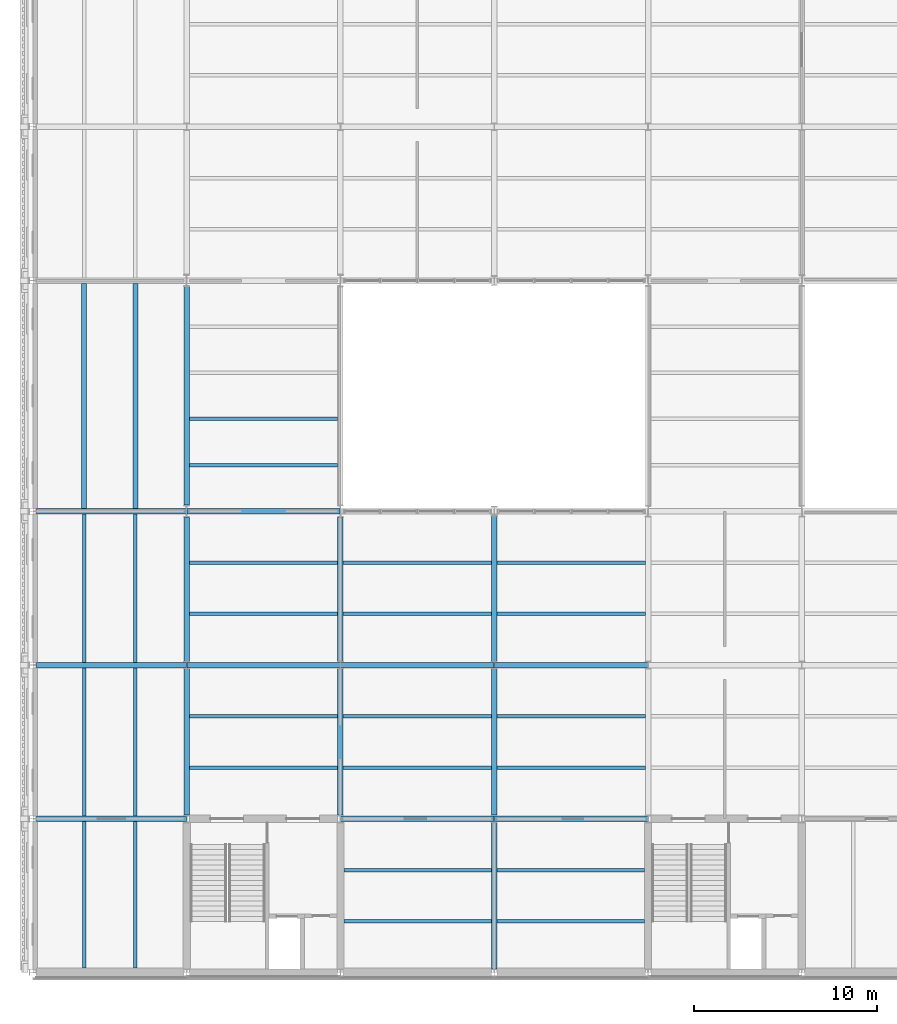
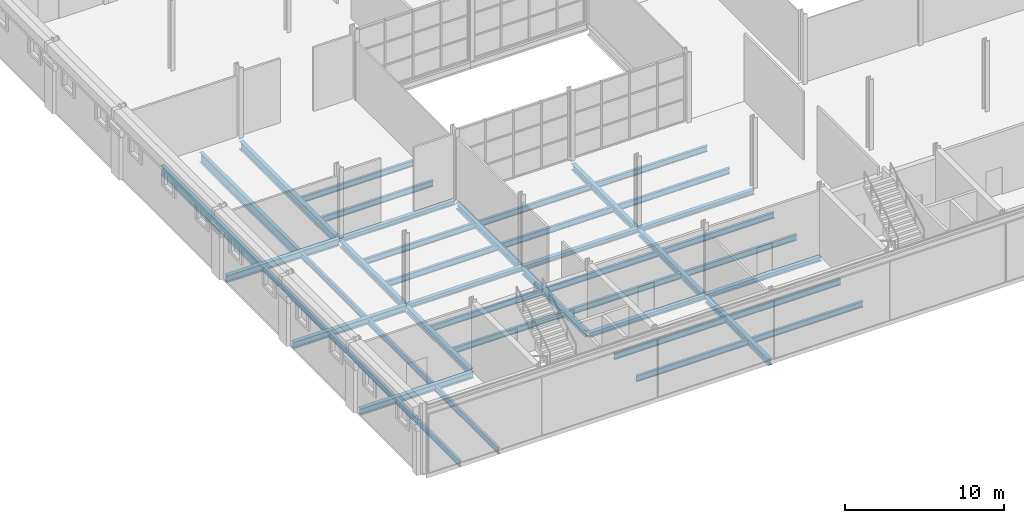
# One storey, part 9 of 57: 43 beams.
"""IFC4 building model written with IfcOpenShell, lengths in metres."""

from ifc_helpers import new_model, si_unit, direction, frame, origin, origin_2d, place, context, subcontext, project, spatial, i_section, extrude, material, material_profile, profile_set, type_object, element, save


model = new_model("IFC4")

# Units and contexts
model_context = context("Model", 3, precision=1e-05, world=origin(), true_north=direction((0.0, 1.0)))
body_context = subcontext(model_context, "Body", "Model", "MODEL_VIEW")
ifc_project = project(units=[si_unit("LENGTHUNIT", "METRE"), si_unit("AREAUNIT", "SQUARE_METRE"), si_unit("VOLUMEUNIT", "CUBIC_METRE"), si_unit("PLANEANGLEUNIT", "RADIAN"), si_unit("MASSUNIT", "GRAM", prefix="KILO")], contexts=[model_context])

# Site, building, storey
site_placement = place(None, origin())
site = spatial("IfcSite", under=ifc_project, at=site_placement, CompositionType="ELEMENT")
building_placement = place(site_placement, origin())
building = spatial("IfcBuilding", under=site, at=building_placement, Name="Galleria Vessillo Department Store", CompositionType="ELEMENT")
storey_placement = place(building_placement, frame((0.0, 0.0, 25.800048828125)))
storey = spatial("IfcBuildingStorey", under=building, at=storey_placement, Name="L05", CompositionType="ELEMENT", Elevation=25.800048828125)

# Beams
ifc_material_1 = material(Name="Steel S355 J2", Category="steel")
ifc_material_profile_1 = material_profile(ifc_material_1, i_section(OverallWidth=0.300048828125, OverallDepth=0.489990234375, WebThickness=0.011962890625, FlangeThickness=0.02294921875, FilletRadius=0.027099609375, at=origin_2d()), Name="HEA 500")
ifc_profile_set_1 = profile_set([ifc_material_profile_1], Name="Steel S355 J2")
beam_type_1 = type_object("IfcBeamType", Name="Floor girder HEA 500", PredefinedType="BEAM", material=ifc_profile_set_1)
for number, where, z_axis, x_axis, name in (
    (1, (0.2001953125, 8.39990234375, -0.39501953125), (1.0, 0.0, 0.0), (0.0, 1.0, 0.0), "S-BM-L05-GI-x8400-200"),
    (2, (0.2001953125, 16.800048828125, -0.39501953125), (1.0, 0.0, 0.0), (0.0, 1.0, 0.0), "S-BM-L05-GI-x16800-200"),
):
    element("IfcBeam", number, at=place(storey_placement, frame(where, z_axis=z_axis, x_axis=x_axis)), inside=storey, type_object=beam_type_1, Name=name, PredefinedType="BEAM", context=body_context, shape_type="SweptSolid", body=[
        extrude(i_section(OverallWidth=0.300048828125, OverallDepth=0.489990234375, WebThickness=0.011962890625, FlangeThickness=0.02294921875, FilletRadius=0.027099609375, at=origin_2d()), origin(), (0.0, 0.0, 1.0), 8.19287109375),
    ])
beam_1_placement = place(storey_placement, frame((8.39990234375, 8.60009765625, -0.39501953125), z_axis=(0.0, 1.0, 0.0), x_axis=(-1.0, 0.0, 0.0)))
element("IfcBeam", 3, at=beam_1_placement, inside=storey, type_object=beam_type_1, Name="S-BM-L05-GI-y8400-8600", PredefinedType="BEAM", context=body_context, shape_type="SweptSolid", body=[
    extrude(i_section(OverallWidth=0.300048828125, OverallDepth=0.489990234375, WebThickness=0.011962890625, FlangeThickness=0.02294921875, FilletRadius=0.027099609375, at=origin_2d()), origin(), (0.0, 0.0, 1.0), 7.999755859375),
])
beam_2_placement = place(storey_placement, frame((8.39990234375, 17.000244140625, -0.39501953125), z_axis=(0.0, 1.0, 0.0), x_axis=(-1.0, 0.0, 0.0)))
element("IfcBeam", 4, at=beam_2_placement, inside=storey, type_object=beam_type_1, Name="S-BM-L05-GI-y8400-17000", PredefinedType="BEAM", context=body_context, shape_type="SweptSolid", body=[
    extrude(i_section(OverallWidth=0.300048828125, OverallDepth=0.489990234375, WebThickness=0.011962890625, FlangeThickness=0.02294921875, FilletRadius=0.027099609375, at=origin_2d()), origin(), (0.0, 0.0, 1.0), 7.86572265625),
])
beam_3_placement = place(storey_placement, frame((16.800048828125, 8.60009765625, -0.39501953125), z_axis=(0.0, 1.0, 0.0), x_axis=(-1.0, 0.0, 0.0)))
element("IfcBeam", 5, at=beam_3_placement, inside=storey, type_object=beam_type_1, Name="S-BM-L05-GI-y16800-8600", PredefinedType="BEAM", context=body_context, shape_type="SweptSolid", body=[
    extrude(i_section(OverallWidth=0.300048828125, OverallDepth=0.489990234375, WebThickness=0.011962890625, FlangeThickness=0.02294921875, FilletRadius=0.027099609375, at=origin_2d()), origin(), (0.0, 0.0, 1.0), 7.999755859375),
])
beam_4_placement = place(storey_placement, frame((16.800048828125, 17.000244140625, -0.39501953125), z_axis=(0.0, 1.0, 0.0), x_axis=(-1.0, 0.0, 0.0)))
element("IfcBeam", 6, at=beam_4_placement, inside=storey, type_object=beam_type_1, Name="S-BM-L05-GI-y16800-17000", PredefinedType="BEAM", context=body_context, shape_type="SweptSolid", body=[
    extrude(i_section(OverallWidth=0.300048828125, OverallDepth=0.489990234375, WebThickness=0.011962890625, FlangeThickness=0.02294921875, FilletRadius=0.027099609375, at=origin_2d()), origin(), (0.0, 0.0, 1.0), 7.86572265625),
])
for number, where, z_axis, x_axis, name in (
    (7, (25.199951171875, 0.2001953125, -0.39501953125), (0.0, 1.0, 0.0), (-1.0, 0.0, 0.0), "S-BM-L05-GI-y25200-200"),
    (8, (25.199951171875, 8.60009765625, -0.39501953125), (0.0, 1.0, 0.0), (-1.0, 0.0, 0.0), "S-BM-L05-GI-y25200-8600"),
):
    element("IfcBeam", number, at=place(storey_placement, frame(where, z_axis=z_axis, x_axis=x_axis)), inside=storey, type_object=beam_type_1, Name=name, PredefinedType="BEAM", context=body_context, shape_type="SweptSolid", body=[
        extrude(i_section(OverallWidth=0.300048828125, OverallDepth=0.489990234375, WebThickness=0.011962890625, FlangeThickness=0.02294921875, FilletRadius=0.027099609375, at=origin_2d()), origin(), (0.0, 0.0, 1.0), 7.999755859375),
    ])
beam_5_placement = place(storey_placement, frame((25.199951171875, 17.000244140625, -0.39501953125), z_axis=(0.0, 1.0, 0.0), x_axis=(-1.0, 0.0, 0.0)))
element("IfcBeam", 9, at=beam_5_placement, inside=storey, type_object=beam_type_1, Name="S-BM-L05-GI-y25200-17000", PredefinedType="BEAM", context=body_context, shape_type="SweptSolid", body=[
    extrude(i_section(OverallWidth=0.300048828125, OverallDepth=0.489990234375, WebThickness=0.011962890625, FlangeThickness=0.02294921875, FilletRadius=0.027099609375, at=origin_2d()), origin(), (0.0, 0.0, 1.0), 7.937744140625),
])
ifc_material_2 = material(Name="Steel S355 J2", Category="steel")
ifc_material_profile_2 = material_profile(ifc_material_2, i_section(OverallWidth=0.300048828125, OverallDepth=0.5400390625, WebThickness=0.012451171875, FlangeThickness=0.02392578125, FilletRadius=0.027099609375, at=origin_2d()), Name="HEA 550")
ifc_profile_set_2 = profile_set([ifc_material_profile_2], Name="Steel S355 J2")
beam_type_2 = type_object("IfcBeamType", Name="Floor girder HEA 550", PredefinedType="BEAM", material=ifc_profile_set_2)
beam_6_placement = place(storey_placement, frame((0.2001953125, 25.199951171875, -0.419921875), z_axis=(1.0, 0.0, 0.0), x_axis=(0.0, 1.0, 0.0)))
element("IfcBeam", 10, at=beam_6_placement, inside=storey, type_object=beam_type_2, Name="S-BM-L05-GI-x25200-200", PredefinedType="BEAM", context=body_context, shape_type="SweptSolid", body=[
    extrude(i_section(OverallWidth=0.300048828125, OverallDepth=0.5400390625, WebThickness=0.012451171875, FlangeThickness=0.02392578125, FilletRadius=0.027099609375, at=origin_2d()), origin(), (0.0, 0.0, 1.0), 8.189208984375),
])
ifc_material_3 = material(Name="Steel S355 J2", Category="steel")
ifc_material_profile_3 = material_profile(ifc_material_3, i_section(OverallWidth=0.304931640625, OverallDepth=0.6201171875, WebThickness=0.02099609375, FlangeThickness=0.0400390625, FilletRadius=0.027099609375, at=origin_2d()), Name="HEM 600")
ifc_profile_set_3 = profile_set([ifc_material_profile_3], Name="Steel S355 J2")
beam_type_3 = type_object("IfcBeamType", Name="Floor girder HEM 600", PredefinedType="BEAM", material=ifc_profile_set_3)
beam_7_placement = place(storey_placement, frame((8.39990234375, 25.5341796875, -0.4599609375), z_axis=(0.0, 1.0, 0.0), x_axis=(-1.0, 0.0, 0.0)))
element("IfcBeam", 11, at=beam_7_placement, inside=storey, type_object=beam_type_3, Name="S-BM-L05-GI-y8400-25534", PredefinedType="BEAM", context=body_context, shape_type="SweptSolid", body=[
    extrude(i_section(OverallWidth=0.304931640625, OverallDepth=0.6201171875, WebThickness=0.02099609375, FlangeThickness=0.0400390625, FilletRadius=0.027099609375, at=origin_2d()), origin(), (0.0, 0.0, 1.0), 11.931640625),
])
ifc_material_4 = material(Name="Steel S355 J2", Category="steel")
ifc_material_profile_4 = material_profile(ifc_material_4, i_section(OverallWidth=0.18994140625, OverallDepth=0.449951171875, WebThickness=0.009521484375, FlangeThickness=0.0146484375, FilletRadius=0.02099609375, at=origin_2d()), Name="IPE 450")
ifc_profile_set_4 = profile_set([ifc_material_profile_4], Name="Steel S355 J2")
beam_type_4 = type_object("IfcBeamType", Name="Floor joist IPE 450", PredefinedType="JOIST", material=ifc_profile_set_4)
for number, where, z_axis, x_axis, name in (
    (12, (2.800048828125, 0.250244140625, -0.375), (0.0, 1.0, 0.0), (-1.0, 0.0, 0.0), "S-BM-L05-JO-y2800-250"),
    (13, (5.60009765625, 0.250244140625, -0.375), (0.0, 1.0, 0.0), (-1.0, 0.0, 0.0), "S-BM-L05-JO-y5600-250"),
):
    element("IfcBeam", number, at=place(storey_placement, frame(where, z_axis=z_axis, x_axis=x_axis)), inside=storey, type_object=beam_type_4, Name=name, PredefinedType="JOIST", context=body_context, shape_type="SweptSolid", body=[
        extrude(i_section(OverallWidth=0.18994140625, OverallDepth=0.449951171875, WebThickness=0.009521484375, FlangeThickness=0.0146484375, FilletRadius=0.02099609375, at=origin_2d()), origin(), (0.0, 0.0, 1.0), 7.99951171875),
    ])
for number, where, z_axis, x_axis, name in (
    (14, (2.800048828125, 8.550048828125, -0.375), (0.0, 1.0, 0.0), (-1.0, 0.0, 0.0), "S-BM-L05-JO-y2800-8550"),
    (15, (5.60009765625, 8.550048828125, -0.375), (0.0, 1.0, 0.0), (-1.0, 0.0, 0.0), "S-BM-L05-JO-y5600-8550"),
):
    element("IfcBeam", number, at=place(storey_placement, frame(where, z_axis=z_axis, x_axis=x_axis)), inside=storey, type_object=beam_type_4, Name=name, PredefinedType="JOIST", context=body_context, shape_type="SweptSolid", body=[
        extrude(i_section(OverallWidth=0.18994140625, OverallDepth=0.449951171875, WebThickness=0.009521484375, FlangeThickness=0.0146484375, FilletRadius=0.02099609375, at=origin_2d()), origin(), (0.0, 0.0, 1.0), 8.099853515625),
    ])
for number, where, z_axis, x_axis, name in (
    (16, (2.800048828125, 16.9501953125, -0.375), (0.0, 1.0, 0.0), (-1.0, 0.0, 0.0), "S-BM-L05-JO-y2800-16950"),
    (17, (5.60009765625, 16.9501953125, -0.375), (0.0, 1.0, 0.0), (-1.0, 0.0, 0.0), "S-BM-L05-JO-y5600-16950"),
):
    element("IfcBeam", number, at=place(storey_placement, frame(where, z_axis=z_axis, x_axis=x_axis)), inside=storey, type_object=beam_type_4, Name=name, PredefinedType="JOIST", context=body_context, shape_type="SweptSolid", body=[
        extrude(i_section(OverallWidth=0.18994140625, OverallDepth=0.449951171875, WebThickness=0.009521484375, FlangeThickness=0.0146484375, FilletRadius=0.02099609375, at=origin_2d()), origin(), (0.0, 0.0, 1.0), 8.099609375),
    ])
for number, where, z_axis, x_axis, name in (
    (18, (8.550048828125, 11.199951171875, -0.375), (1.0, 0.0, 0.0), (0.0, 1.0, 0.0), "S-BM-L05-JO-x11200-8550"),
    (19, (8.550048828125, 14.0, -0.375), (1.0, 0.0, 0.0), (0.0, 1.0, 0.0), "S-BM-L05-JO-x14000-8550"),
    (20, (8.550048828125, 19.60009765625, -0.375), (1.0, 0.0, 0.0), (0.0, 1.0, 0.0), "S-BM-L05-JO-x19600-8550"),
    (21, (8.550048828125, 22.39990234375, -0.375), (1.0, 0.0, 0.0), (0.0, 1.0, 0.0), "S-BM-L05-JO-x22400-8550"),
):
    element("IfcBeam", number, at=place(storey_placement, frame(where, z_axis=z_axis, x_axis=x_axis)), inside=storey, type_object=beam_type_4, Name=name, PredefinedType="JOIST", context=body_context, shape_type="SweptSolid", body=[
        extrude(i_section(OverallWidth=0.18994140625, OverallDepth=0.449951171875, WebThickness=0.009521484375, FlangeThickness=0.0146484375, FilletRadius=0.02099609375, at=origin_2d()), origin(), (0.0, 0.0, 1.0), 8.099853515625),
    ])
for number, where, z_axis, x_axis, name in (
    (22, (8.552734375, 27.719970703125, -0.375), (1.0, 0.0, 0.0), (0.0, 1.0, 0.0), "S-BM-L05-JO-x27720-8553"),
    (23, (8.552734375, 30.239990234375, -0.375), (1.0, 0.0, 0.0), (0.0, 1.0, 0.0), "S-BM-L05-JO-x30240-8553"),
):
    element("IfcBeam", number, at=place(storey_placement, frame(where, z_axis=z_axis, x_axis=x_axis)), inside=storey, type_object=beam_type_4, Name=name, PredefinedType="JOIST", context=body_context, shape_type="SweptSolid", body=[
        extrude(i_section(OverallWidth=0.18994140625, OverallDepth=0.449951171875, WebThickness=0.009521484375, FlangeThickness=0.0146484375, FilletRadius=0.02099609375, at=origin_2d()), origin(), (0.0, 0.0, 1.0), 8.09716796875),
    ])
for number, where, z_axis, x_axis, name in (
    (24, (17.000244140625, 2.800048828125, -0.375), (1.0, 0.0, 0.0), (0.0, 1.0, 0.0), "S-BM-L05-JO-x2800-17000"),
    (25, (17.000244140625, 5.60009765625, -0.375), (1.0, 0.0, 0.0), (0.0, 1.0, 0.0), "S-BM-L05-JO-x5600-17000"),
):
    element("IfcBeam", number, at=place(storey_placement, frame(where, z_axis=z_axis, x_axis=x_axis)), inside=storey, type_object=beam_type_4, Name=name, PredefinedType="JOIST", context=body_context, shape_type="SweptSolid", body=[
        extrude(i_section(OverallWidth=0.18994140625, OverallDepth=0.449951171875, WebThickness=0.009521484375, FlangeThickness=0.0146484375, FilletRadius=0.02099609375, at=origin_2d()), origin(), (0.0, 0.0, 1.0), 8.049560546875),
    ])
for number, where, z_axis, x_axis, name in (
    (26, (16.9501953125, 11.199951171875, -0.375), (1.0, 0.0, 0.0), (0.0, 1.0, 0.0), "S-BM-L05-JO-x11200-16950"),
    (27, (16.9501953125, 14.0, -0.375), (1.0, 0.0, 0.0), (0.0, 1.0, 0.0), "S-BM-L05-JO-x14000-16950"),
    (28, (16.9501953125, 19.60009765625, -0.375), (1.0, 0.0, 0.0), (0.0, 1.0, 0.0), "S-BM-L05-JO-x19600-16950"),
    (29, (16.9501953125, 22.39990234375, -0.375), (1.0, 0.0, 0.0), (0.0, 1.0, 0.0), "S-BM-L05-JO-x22400-16950"),
):
    element("IfcBeam", number, at=place(storey_placement, frame(where, z_axis=z_axis, x_axis=x_axis)), inside=storey, type_object=beam_type_4, Name=name, PredefinedType="JOIST", context=body_context, shape_type="SweptSolid", body=[
        extrude(i_section(OverallWidth=0.18994140625, OverallDepth=0.449951171875, WebThickness=0.009521484375, FlangeThickness=0.0146484375, FilletRadius=0.02099609375, at=origin_2d()), origin(), (0.0, 0.0, 1.0), 8.099609375),
    ])
for number, where, z_axis, x_axis, name in (
    (30, (25.35009765625, 2.800048828125, -0.375), (1.0, 0.0, 0.0), (0.0, 1.0, 0.0), "S-BM-L05-JO-x2800-25350"),
    (31, (25.35009765625, 5.60009765625, -0.375), (1.0, 0.0, 0.0), (0.0, 1.0, 0.0), "S-BM-L05-JO-x5600-25350"),
):
    element("IfcBeam", number, at=place(storey_placement, frame(where, z_axis=z_axis, x_axis=x_axis)), inside=storey, type_object=beam_type_4, Name=name, PredefinedType="JOIST", context=body_context, shape_type="SweptSolid", body=[
        extrude(i_section(OverallWidth=0.18994140625, OverallDepth=0.449951171875, WebThickness=0.009521484375, FlangeThickness=0.0146484375, FilletRadius=0.02099609375, at=origin_2d()), origin(), (0.0, 0.0, 1.0), 8.0498046875),
    ])
for number, where, z_axis, x_axis, name in (
    (32, (25.35009765625, 11.199951171875, -0.375), (1.0, 0.0, 0.0), (0.0, 1.0, 0.0), "S-BM-L05-JO-x11200-25350"),
    (33, (25.35009765625, 14.0, -0.375), (1.0, 0.0, 0.0), (0.0, 1.0, 0.0), "S-BM-L05-JO-x14000-25350"),
    (34, (25.35009765625, 19.60009765625, -0.375), (1.0, 0.0, 0.0), (0.0, 1.0, 0.0), "S-BM-L05-JO-x19600-25350"),
    (35, (25.35009765625, 22.39990234375, -0.375), (1.0, 0.0, 0.0), (0.0, 1.0, 0.0), "S-BM-L05-JO-x22400-25350"),
):
    element("IfcBeam", number, at=place(storey_placement, frame(where, z_axis=z_axis, x_axis=x_axis)), inside=storey, type_object=beam_type_4, Name=name, PredefinedType="JOIST", context=body_context, shape_type="SweptSolid", body=[
        extrude(i_section(OverallWidth=0.18994140625, OverallDepth=0.449951171875, WebThickness=0.009521484375, FlangeThickness=0.0146484375, FilletRadius=0.02099609375, at=origin_2d()), origin(), (0.0, 0.0, 1.0), 8.099853515625),
    ])
ifc_material_5 = material(Name="Steel S355 J2", Category="steel")
ifc_material_profile_5 = material_profile(ifc_material_5, i_section(OverallWidth=0.264892578125, OverallDepth=0.7529296875, WebThickness=0.01318359375, FlangeThickness=0.01708984375, FilletRadius=0.01708984375, at=origin_2d()), Name="IPE 750x147")
ifc_profile_set_5 = profile_set([ifc_material_profile_5], Name="Steel S355 J2")
beam_type_5 = type_object("IfcBeamType", Name="Floor joist IPE 750x147", PredefinedType="JOIST", material=ifc_profile_set_5)
for number, where, z_axis, x_axis, name in (
    (36, (2.800048828125, 25.35009765625, -0.5263671875), (0.0, 1.0, 0.0), (-1.0, 0.0, 0.0), "S-BM-L05-JO-y2800-25350"),
    (37, (5.60009765625, 25.35009765625, -0.5263671875), (0.0, 1.0, 0.0), (-1.0, 0.0, 0.0), "S-BM-L05-JO-y5600-25350"),
):
    element("IfcBeam", number, at=place(storey_placement, frame(where, z_axis=z_axis, x_axis=x_axis)), inside=storey, type_object=beam_type_5, Name=name, PredefinedType="JOIST", context=body_context, shape_type="SweptSolid", body=[
        extrude(i_section(OverallWidth=0.264892578125, OverallDepth=0.7529296875, WebThickness=0.01318359375, FlangeThickness=0.01708984375, FilletRadius=0.01708984375, at=origin_2d()), origin(), (0.0, 0.0, 1.0), 12.2998046875),
    ])
ifc_material_6 = material(Name="Steel S355 J2", Category="steel")
ifc_material_profile_6 = material_profile(ifc_material_6, i_section(OverallWidth=0.300048828125, OverallDepth=0.35009765625, WebThickness=0.010009765625, FlangeThickness=0.017578125, FilletRadius=0.027099609375, at=origin_2d()), Name="HEA 360")
ifc_profile_set_6 = profile_set([ifc_material_profile_6], Name="Steel S355 J2")
beam_type_6 = type_object("IfcBeamType", Name="Floor tie girder HEA 360", PredefinedType="BEAM", material=ifc_profile_set_6)
for number, where, z_axis, x_axis, name in (
    (38, (16.806884765625, 8.39990234375, -0.324951171875), (1.0, 0.0, 0.0), (0.0, 1.0, 0.0), "S-BM-L05-TI-x8400-16807"),
    (39, (25.206787109375, 8.39990234375, -0.324951171875), (1.0, 0.0, 0.0), (0.0, 1.0, 0.0), "S-BM-L05-TI-x8400-25207"),
    (40, (8.406982421875, 16.800048828125, -0.324951171875), (1.0, 0.0, 0.0), (0.0, 1.0, 0.0), "S-BM-L05-TI-x16800-8407"),
    (41, (16.806884765625, 16.800048828125, -0.324951171875), (1.0, 0.0, 0.0), (0.0, 1.0, 0.0), "S-BM-L05-TI-x16800-16807"),
    (42, (25.206787109375, 16.800048828125, -0.324951171875), (1.0, 0.0, 0.0), (0.0, 1.0, 0.0), "S-BM-L05-TI-x16800-25207"),
):
    element("IfcBeam", number, at=place(storey_placement, frame(where, z_axis=z_axis, x_axis=x_axis)), inside=storey, type_object=beam_type_6, Name=name, PredefinedType="BEAM", context=body_context, shape_type="SweptSolid", body=[
        extrude(i_section(OverallWidth=0.300048828125, OverallDepth=0.35009765625, WebThickness=0.010009765625, FlangeThickness=0.017578125, FilletRadius=0.027099609375, at=origin_2d()), origin(), (0.0, 0.0, 1.0), 8.38623046875),
    ])
beam_8_placement = place(storey_placement, frame((8.41064453125, 25.199951171875, -0.324951171875), z_axis=(1.0, 0.0, 0.0), x_axis=(0.0, 1.0, 0.0)))
element("IfcBeam", 43, at=beam_8_placement, inside=storey, type_object=beam_type_6, Name="S-BM-L05-TI-x25200-8411", PredefinedType="BEAM", context=body_context, shape_type="SweptSolid", body=[
    extrude(i_section(OverallWidth=0.300048828125, OverallDepth=0.35009765625, WebThickness=0.010009765625, FlangeThickness=0.017578125, FilletRadius=0.027099609375, at=origin_2d()), origin(), (0.0, 0.0, 1.0), 8.378662109375),
])

save(model, "model.ifc")
